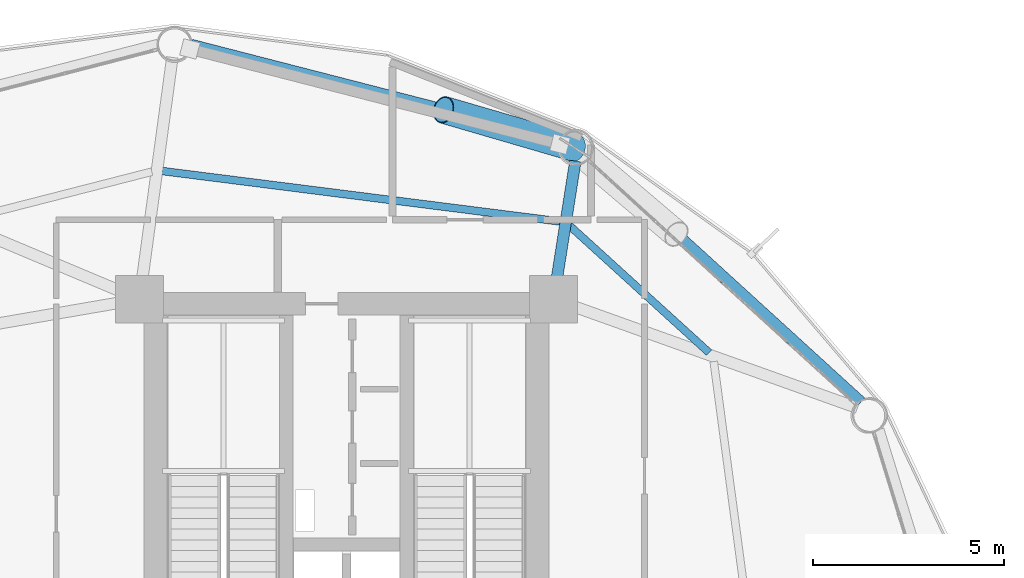
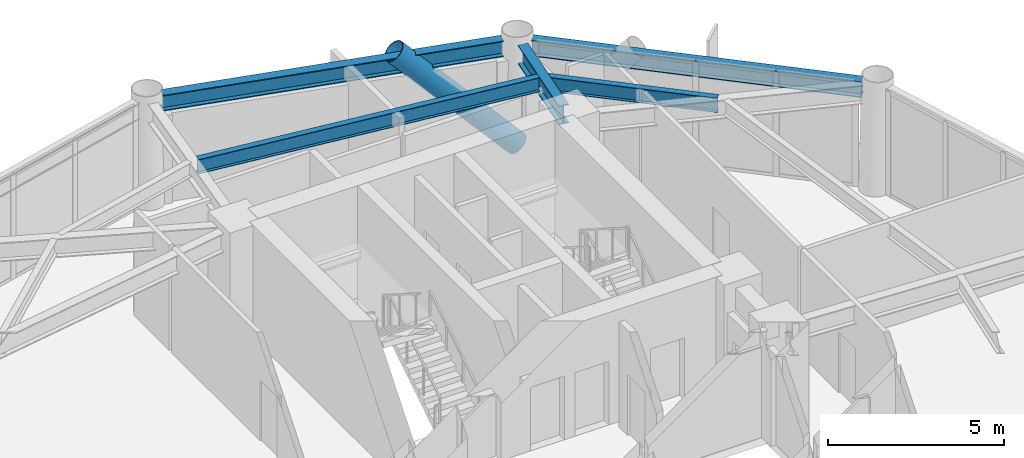
# One storey, part 18 of 26: 5 beams, 1 member.
"""IFC4 building model written with IfcOpenShell, lengths in metres."""

from ifc_helpers import new_model, si_unit, direction, frame, origin, origin_2d, place, context, subcontext, project, spatial, hollow_circle, i_section, extrude, material, material_profile, profile_set, type_object, element, save


model = new_model("IFC4")

# Units and contexts
model_context = context("Model", 3, precision=1e-05, world=origin(), true_north=direction((0.0, 1.0)))
body_context = subcontext(model_context, "Body", "Model", "MODEL_VIEW")
ifc_project = project(units=[si_unit("LENGTHUNIT", "METRE"), si_unit("AREAUNIT", "SQUARE_METRE"), si_unit("VOLUMEUNIT", "CUBIC_METRE"), si_unit("PLANEANGLEUNIT", "RADIAN"), si_unit("MASSUNIT", "GRAM", prefix="KILO")], contexts=[model_context])

# Site, building, storey
site_placement = place(None, origin())
site = spatial("IfcSite", under=ifc_project, at=site_placement, CompositionType="ELEMENT")
building_placement = place(site_placement, origin())
building = spatial("IfcBuilding", under=site, at=building_placement, Name="Varnakorn Sky Granary", CompositionType="ELEMENT")
storey_placement = place(building_placement, frame((0.0, 0.0, 51.0)))
storey = spatial("IfcBuildingStorey", under=building, at=storey_placement, Name="L12", CompositionType="ELEMENT", Elevation=51.0)

# Beams
ifc_material_1 = material(Name="Steel S355JR", Category="steel")
ifc_material_profile_1 = material_profile(ifc_material_1, i_section(OverallWidth=0.300048828125, OverallDepth=0.64990234375, WebThickness=0.01611328125, FlangeThickness=0.031005859375, at=origin_2d()), Name="HE 650 B")
ifc_profile_set_1 = profile_set([ifc_material_profile_1], Name="Steel S355JR")
beam_type_1 = type_object("IfcBeamType", Name="BM-RAD-Z1", PredefinedType="BEAM", material=ifc_profile_set_1)
beam_1_placement = place(storey_placement, frame((8.485595703125, 13.034912109375, 3.31494140625), z_axis=(0.155792355243, 0.98778982686, 0.0), x_axis=(-0.98778982686, 0.155792355243, 0.0)))
element("IfcBeam", 1, at=beam_1_placement, inside=storey, type_object=beam_type_1, Name="Radial Floor Girder RG03 L12", PredefinedType="BEAM", context=body_context, shape_type="SweptSolid", body=[
    extrude(i_section(OverallWidth=0.300048828125, OverallDepth=0.64990234375, WebThickness=0.01611328125, FlangeThickness=0.031005859375, at=origin_2d()), origin(), (0.0, 0.0, 1.0), 3.24072265625),
])
ifc_material_profile_2 = material_profile(ifc_material_1, i_section(OverallWidth=0.199951171875, OverallDepth=0.5, WebThickness=0.01025390625, FlangeThickness=0.01611328125, at=origin_2d()), Name="IPE 500")
ifc_profile_set_2 = profile_set([ifc_material_profile_2], Name="Steel S355JR")
beam_type_2 = type_object("IfcBeamType", Name="BM-SEC-Z1", PredefinedType="BEAM", material=ifc_profile_set_2)
beam_2_placement = place(storey_placement, frame((12.490966796875, 11.220947265625, 3.389892578125), z_axis=(-0.739671328598, 0.672968294684, 0.0), x_axis=(-0.672968294684, -0.739671328598, 0.0)))
element("IfcBeam", 2, at=beam_2_placement, inside=storey, type_object=beam_type_2, Name="Secondary Floor Chord Beam MSB02 L12", PredefinedType="BEAM", context=body_context, shape_type="SweptSolid", body=[
    extrude(i_section(OverallWidth=0.199951171875, OverallDepth=0.5, WebThickness=0.01025390625, FlangeThickness=0.01611328125, at=origin_2d()), origin(), (0.0, 0.0, 1.0), 4.933837890625),
])
beam_3_placement = place(storey_placement, frame((8.59912109375, 14.653076171875, 3.389892578125), z_axis=(-0.992049902089, 0.125845110216, 0.0), x_axis=(-0.125845110216, -0.992049902089, 0.0)))
element("IfcBeam", 3, at=beam_3_placement, inside=storey, type_object=beam_type_2, Name="Secondary Floor Chord Beam MSB03 L12", PredefinedType="BEAM", context=body_context, shape_type="SweptSolid", body=[
    extrude(i_section(OverallWidth=0.199951171875, OverallDepth=0.5, WebThickness=0.01025390625, FlangeThickness=0.01611328125, at=origin_2d()), origin(), (0.0, 0.0, 1.0), 10.505126953125),
])
ifc_material_profile_3 = material_profile(ifc_material_1, i_section(OverallWidth=0.300048828125, OverallDepth=0.550048828125, WebThickness=0.014892578125, FlangeThickness=0.029052734375, at=origin_2d()), Name="HE 550 B")
ifc_profile_set_3 = profile_set([ifc_material_profile_3], Name="Steel S355JR")
beam_type_3 = type_object("IfcBeamType", Name="BM-SPD-Z1", PredefinedType="SPANDREL", material=ifc_profile_set_3)
beam_4_placement = place(storey_placement, frame((16.462890625, 9.923828125, 3.364990234375), z_axis=(-0.739023413374, 0.67367974178, 0.0), x_axis=(-0.67367974178, -0.739023413374, 0.0)))
element("IfcBeam", 4, at=beam_4_placement, inside=storey, type_object=beam_type_3, Name="Perimeter Spandrel Ring Beam RB02 L12", PredefinedType="SPANDREL", context=body_context, shape_type="SweptSolid", body=[
    extrude(i_section(OverallWidth=0.300048828125, OverallDepth=0.550048828125, WebThickness=0.014892578125, FlangeThickness=0.029052734375, at=origin_2d()), origin(), (0.0, 0.0, 1.0), 9.575927734375),
])
beam_5_placement = place(storey_placement, frame((8.63134765625, 16.78271484375, 3.364990234375), z_axis=(-0.968511401947, 0.248969203515, 0.0), x_axis=(-0.248969203515, -0.968511401947, 0.0)))
element("IfcBeam", 5, at=beam_5_placement, inside=storey, type_object=beam_type_3, Name="Perimeter Spandrel Ring Beam RB03 L12", PredefinedType="SPANDREL", context=body_context, shape_type="SweptSolid", body=[
    extrude(i_section(OverallWidth=0.300048828125, OverallDepth=0.550048828125, WebThickness=0.014892578125, FlangeThickness=0.029052734375, at=origin_2d()), origin(), (0.0, 0.0, 1.0), 10.018798828125),
])

# Member
ifc_material_2 = material(Name="Steel S460M", Category="steel")
ifc_material_profile_4 = material_profile(ifc_material_2, hollow_circle(Radius=0.35546875, WallThickness=0.02490234375, at=origin_2d()), Name="CHS 711x25")
ifc_profile_set_4 = profile_set([ifc_material_profile_4], Name="Steel S460M")
member_type = type_object("IfcMemberType", Name="MB-DIAG-T0", PredefinedType="BRACE", material=ifc_profile_set_4)
member_placement = place(storey_placement, frame((8.986572265625, 16.573974609375, 0.0), z_axis=(-0.660264400356, 0.192214668187, 0.726019588549), x_axis=(-0.279514221487, -0.960141552057, 0.0)))
element("IfcMember", 6, at=member_placement, inside=storey, type_object=member_type, Name="Perimeter CHS Diagrid Brace DG03 L12", PredefinedType="BRACE", context=body_context, shape_type="SweptSolid", body=[
    extrude(hollow_circle(Radius=0.35546875, WallThickness=0.02490234375, at=origin_2d()), origin(), (0.0, 0.0, 1.0), 5.22021484375),
])

save(model, "model.ifc")
